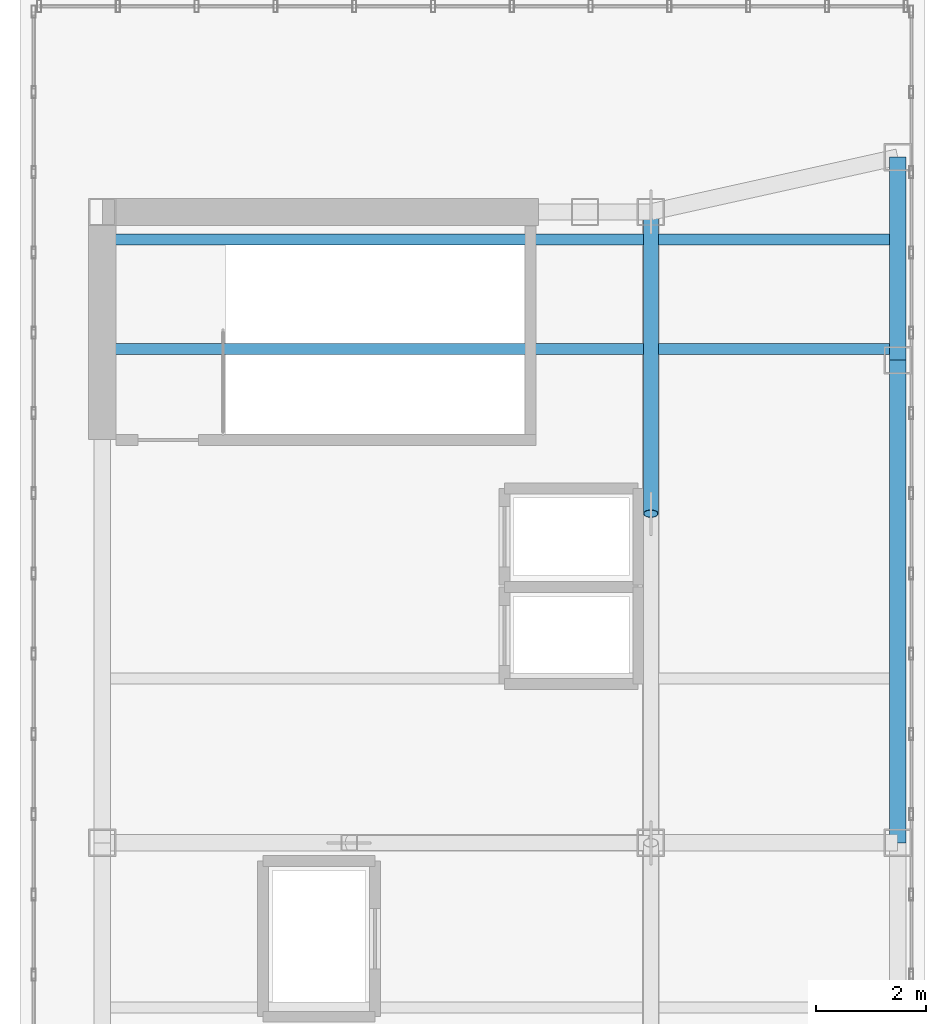
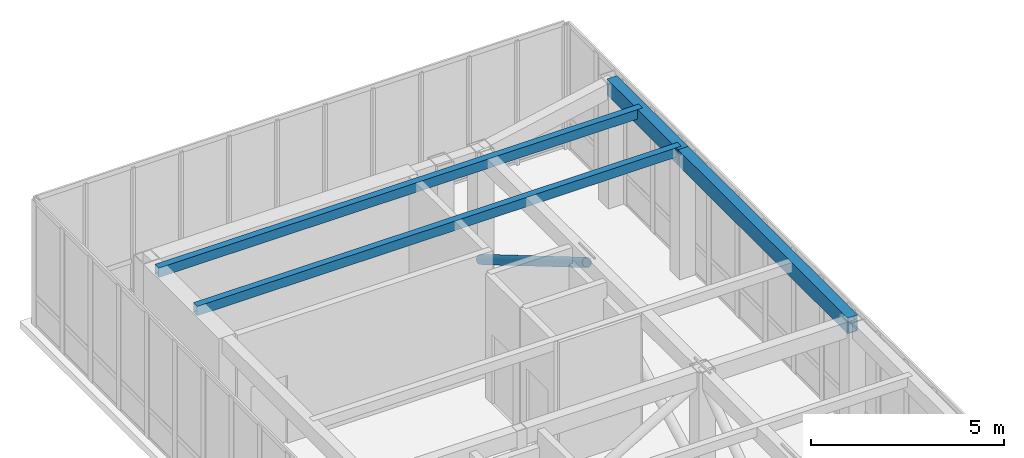
# One storey, part 8 of 13: 3 members, 2 beams.
"""IFC4 building model written with IfcOpenShell, lengths in metres."""

from ifc_helpers import new_model, si_unit, direction, frame, origin, origin_2d, place, context, subcontext, project, spatial, hollow_rectangle, hollow_circle, extrude, source, transform, mapped, material, material_profile, profile_set, type_object, element, save


model = new_model("IFC4")

# Units and contexts
model_context = context("Model", 3, precision=1e-05, world=origin(), true_north=direction((0.0, 1.0)))
body_context = subcontext(model_context, "Body", "Model", "MODEL_VIEW")
ifc_project = project(units=[si_unit("LENGTHUNIT", "METRE"), si_unit("AREAUNIT", "SQUARE_METRE"), si_unit("VOLUMEUNIT", "CUBIC_METRE"), si_unit("PLANEANGLEUNIT", "RADIAN"), si_unit("MASSUNIT", "GRAM", prefix="KILO")], contexts=[model_context])

# Site, building, storey
site_placement = place(None, origin())
site = spatial("IfcSite", under=ifc_project, at=site_placement, CompositionType="ELEMENT")
building_placement = place(site_placement, origin())
building = spatial("IfcBuilding", under=site, at=building_placement, Name="Kharzan Plaza Tower", CompositionType="ELEMENT")
storey_placement = place(building_placement, frame((0.0, 0.0, 298.199951171875)))
storey = spatial("IfcBuildingStorey", under=building, at=storey_placement, Name="L80-CROWN", CompositionType="ELEMENT", Elevation=298.199951171875)

# Beams
ifc_material = material(Name="Steel S355", Category="steel")
ifc_material_profile_1 = material_profile(ifc_material, hollow_rectangle(XDim=0.300048828125, YDim=0.5, WallThickness=0.02001953125, at=origin_2d()), Name="RHS500x300x20")
ifc_profile_set_1 = profile_set([ifc_material_profile_1], Name="Steel S355")
beam_type = type_object("IfcBeamType", Name="BM-CRN500", PredefinedType="BEAM", material=ifc_profile_set_1)
shared_shape_1 = source(origin(), body_context, "Body", "SweptSolid", [
    extrude(hollow_rectangle(XDim=0.300048828125, YDim=0.5, WallThickness=0.02001953125, at=origin_2d()), origin(), (0.0, 0.0, 1.0), 8.800048828125),
])
beam_1_placement = place(storey_placement, frame((19.0, 18.0, 3.68994140625), z_axis=(0.0, 1.0, 0.0), x_axis=(-1.0, 0.0, 0.0)))
element("IfcBeam", 1, at=beam_1_placement, inside=storey, type_object=beam_type, Name="L80-CROWN CROWN FRAME Lantern Ring Beam CRB-E2", PredefinedType="BEAM", context=body_context, shape_type="MappedRepresentation", body=[
    mapped(shared_shape_1, transform((0.0, 0.0, 0.0), x_axis=(1.0, 0.0, 0.0), y_axis=(0.0, 1.0, 0.0), z_axis=(0.0, 0.0, 1.0))),
])
shared_shape_2 = source(origin(), body_context, "Body", "SweptSolid", [
    extrude(hollow_rectangle(XDim=0.300048828125, YDim=0.5, WallThickness=0.02001953125, at=origin_2d()), origin(), (0.0, 0.0, 1.0), 3.699951171875),
])
beam_2_placement = place(storey_placement, frame((19.0, 26.800048828125, 3.68994140625), z_axis=(0.0, 1.0, 0.0), x_axis=(-1.0, 0.0, 0.0)))
element("IfcBeam", 2, at=beam_2_placement, inside=storey, type_object=beam_type, Name="L80-CROWN CROWN FRAME Lantern Ring Beam CRB-E3", PredefinedType="BEAM", context=body_context, shape_type="MappedRepresentation", body=[
    mapped(shared_shape_2, transform((0.0, 0.0, 0.0), x_axis=(1.0, 0.0, 0.0), y_axis=(0.0, 1.0, 0.0), z_axis=(0.0, 0.0, 1.0))),
])

# Members
ifc_material_profile_2 = material_profile(ifc_material, hollow_circle(Radius=0.136474609375, WallThickness=0.010009765625, at=origin_2d()), Name="CHS273x10")
ifc_profile_set_2 = profile_set([ifc_material_profile_2], Name="Steel S355")
member_type_1 = type_object("IfcMemberType", Name="MEM-CRN-DIAG", PredefinedType="BRACE", material=ifc_profile_set_2)
shared_shape_3 = source(origin(), body_context, "Body", "SweptSolid", [
    extrude(hollow_circle(Radius=0.136474609375, WallThickness=0.010009765625, at=origin_2d()), origin(), (0.0, 0.0, 1.0), 6.38330078125),
])
member_placement = place(storey_placement, frame((14.5, 29.5, 0.35009765625), z_axis=(0.0, -0.861612537024, 0.507566582868), x_axis=(1.0, 0.0, 0.0)))
element("IfcMember", 3, at=member_placement, inside=storey, type_object=member_type_1, Name="L80-CROWN CROWN FRAME Diagonal Wind Brace CRD-N1", PredefinedType="BRACE", context=body_context, shape_type="MappedRepresentation", body=[
    mapped(shared_shape_3, transform((0.0, 0.0, 0.0), x_axis=(1.0, 0.0, 0.0), y_axis=(0.0, 1.0, 0.0), z_axis=(0.0, 0.0, 1.0))),
])
ifc_material_profile_3 = material_profile(ifc_material, hollow_rectangle(XDim=0.199951171875, YDim=0.300048828125, WallThickness=0.012451171875, at=origin_2d()), Name="RHS300x200x12.5")
ifc_profile_set_3 = profile_set([ifc_material_profile_3], Name="Steel S355")
member_type_2 = type_object("IfcMemberType", Name="MEM-PRL-300", PredefinedType="CHORD", material=ifc_profile_set_3)
shared_shape_4 = source(origin(), body_context, "Body", "SweptSolid", [
    extrude(hollow_rectangle(XDim=0.199951171875, YDim=0.300048828125, WallThickness=0.012451171875, at=origin_2d()), origin(), (0.0, 0.0, 1.0), 14.5),
])
for number, where, z_axis, x_axis, name in (
    (4, (4.5, 27.0, 3.7900390625), (1.0, 0.0, 0.0), (0.0, 1.0, 0.0), "L80-CROWN CROWN FRAME Roof Support Chord 4"),
    (5, (4.5, 29.0, 3.7900390625), (1.0, 0.0, 0.0), (0.0, 1.0, 0.0), "L80-CROWN CROWN FRAME Roof Support Chord 5"),
):
    element("IfcMember", number, at=place(storey_placement, frame(where, z_axis=z_axis, x_axis=x_axis)), inside=storey, type_object=member_type_2, Name=name, PredefinedType="CHORD", context=body_context, shape_type="MappedRepresentation", body=[
        mapped(shared_shape_4, transform((0.0, 0.0, 0.0), x_axis=(1.0, 0.0, 0.0), y_axis=(0.0, 1.0, 0.0), z_axis=(0.0, 0.0, 1.0))),
    ])

save(model, "model.ifc")
